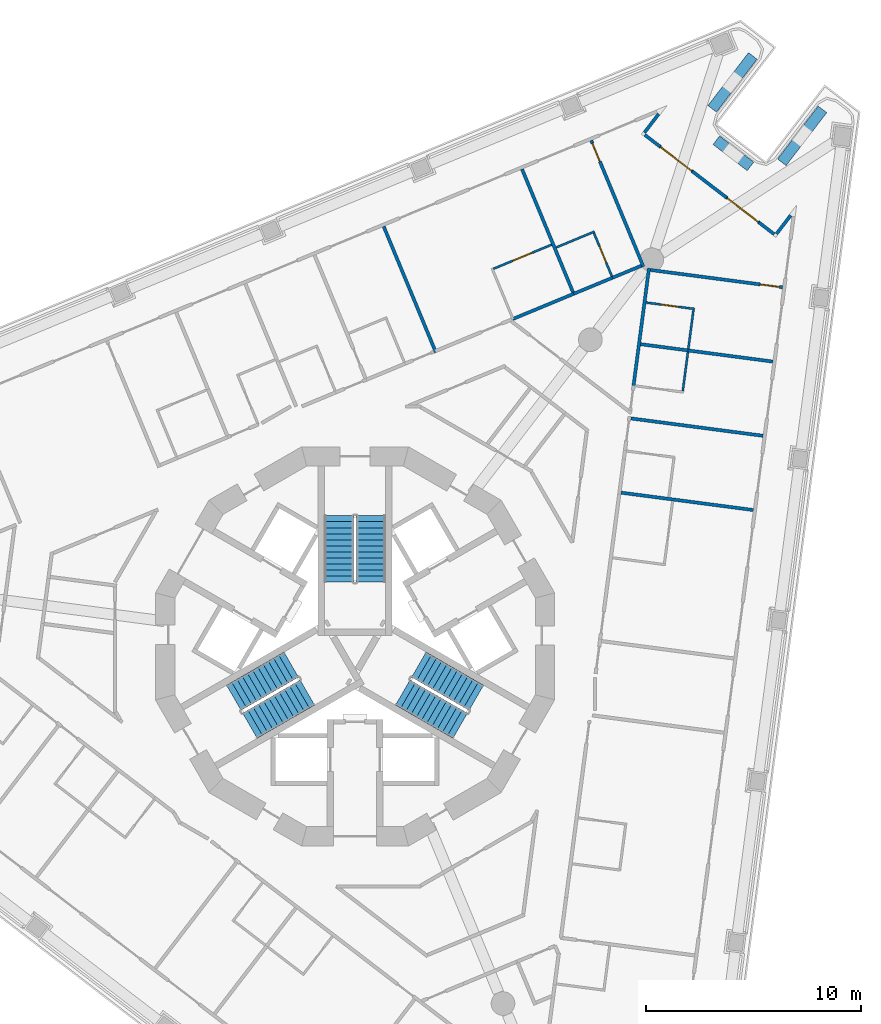
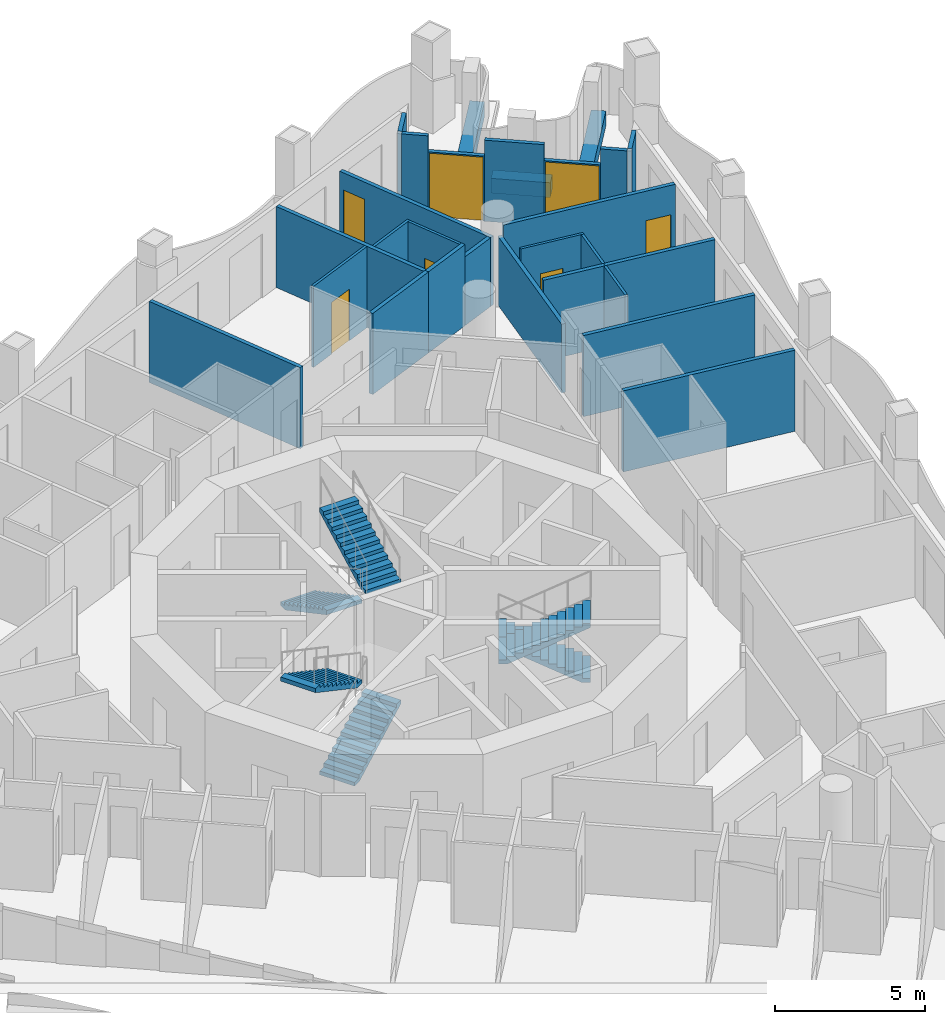
# One storey, part 10 of 17: 28 walls, 7 doors, 6 stair flights, 7 openings, 3 elements without a shape of their own.
"""IFC4 building model written with IfcOpenShell, lengths in metres."""

from ifc_helpers import new_model, si_unit, direction, frame, frame_2d, origin, place, context, subcontext, project, spatial, polyline, rectangle, outline, extrude, material, layer, layer_set, type_object, element, fill, aggregate, save


model = new_model("IFC4")

# Units and contexts
model_context = context("Model", 3, precision=1e-05, world=origin(), true_north=direction((0.0, 1.0)))
body_context = subcontext(model_context, "Body", "Model", "MODEL_VIEW")
ifc_project = project(units=[si_unit("LENGTHUNIT", "METRE"), si_unit("AREAUNIT", "SQUARE_METRE"), si_unit("VOLUMEUNIT", "CUBIC_METRE"), si_unit("PLANEANGLEUNIT", "RADIAN"), si_unit("MASSUNIT", "GRAM", prefix="KILO")], contexts=[model_context])

# Site, building, storey
site_placement = place(None, origin())
site = spatial("IfcSite", under=ifc_project, at=site_placement, CompositionType="ELEMENT")
building_placement = place(site_placement, origin())
building = spatial("IfcBuilding", under=site, at=building_placement, Name="Trine Commons Tower", CompositionType="ELEMENT")
storey_placement = place(building_placement, frame((0.0, 0.0, 135.0)))
storey = spatial("IfcBuildingStorey", under=building, at=storey_placement, Name="L34", CompositionType="ELEMENT", Elevation=135.0)

# Walls
ifc_material_1 = material(Name="Aluminium-framed insulated wall panel", Category="aluminium")
ifc_layer_1 = layer(ifc_material_1, 0.14990234375)
ifc_layer_set_1 = layer_set([ifc_layer_1], Name="Aluminium-framed insulated wall panel")
wall_type_1 = type_object("IfcWallType", Name="Glazed frame wall 150, EI 60", PredefinedType="SOLIDWALL", material=ifc_layer_set_1)
wall_1_placement = place(storey_placement, frame((94.193115234375, 87.345703125, 0.0), z_axis=(0.0, 0.0, 1.0), x_axis=(-0.608762998157, -0.793352136239, 0.0)))
element("IfcWall", 1, at=wall_1_placement, inside=storey, type_object=wall_type_1, Name="Glazed frame wall R5", PredefinedType="SOLIDWALL", context=body_context, shape_type="SweptSolid", body=[
    extrude(outline(polyline([(0.1494140625, 0.074951171875), (0.1494140625, -0.074951171875), (1.235107421875, -0.074951171875), (1.235107421875, 0.074951171875), (0.1494140625, 0.074951171875)])), origin(), (0.0, 0.0, 1.0), 3.300048828125),
])
wall_2_placement = place(storey_placement, frame((93.36767578125, 86.32763671875, 0.0), z_axis=(0.0, 0.0, 1.0), x_axis=(0.793331259853, -0.608790203715, 0.0)))
element("IfcWall", 2, at=wall_2_placement, inside=storey, type_object=wall_type_1, Name="Glazed frame wall P2.1", PredefinedType="SOLIDWALL", context=body_context, shape_type="SweptSolid", body=[
    extrude(outline(polyline([(0.110107421875, -0.074951171875), (1.0, -0.074951171875), (1.0, 0.074951171875), (0.110107421875, 0.074951171875), (0.110107421875, -0.074951171875)])), origin(), (0.0, 0.0, 1.0), 3.300048828125),
])

# Wall, opening, door
wall_3_placement = place(storey_placement, frame((94.1611328125, 85.71875, 0.0), z_axis=(0.0, 0.0, 1.0), x_axis=(0.793382932281, -0.608722862036, 0.0)))
wall_3 = element("IfcWall", 3, at=wall_3_placement, inside=storey, type_object=wall_type_1, Name="Glazed frame wall P2.2", PredefinedType="SOLIDWALL", context=body_context, shape_type="SweptSolid", body=[
    extrude(outline(polyline([(0.0, -0.074951171875), (1.89990234375, -0.074951171875), (1.89990234375, 0.074951171875), (0.0, 0.074951171875), (0.0, -0.074951171875)])), origin(), (0.0, 0.0, 1.0), 2.64990234375),
])
opening_1_placement = place(wall_3_placement, frame((0.050048828125, 0.0, 0.0)))
opening_1 = element("IfcOpeningElement", 4, at=opening_1_placement, cuts=wall_3, Name="Opening BD-4P2-01", PredefinedType="OPENING", context=body_context, shape_type="SweptSolid", body=[
    extrude(rectangle(XDim=1.800048828125, YDim=2.60009765625, at=frame_2d((0.89990234375, 1.300048828125))), frame((0.0, 0.0849609375, 0.0), z_axis=(0.0, -1.0, 0.0), x_axis=(1.0, 0.0, 0.0)), (0.0, 0.0, 1.0), 0.169921875),
])
ifc_material_2 = material(Name="Anodised aluminium frame with double glazing", Category="aluminium")
door_type_1 = type_object("IfcDoorType", Name="Sliding loggia door 1800x2600", OperationType="SLIDING_TO_LEFT", PredefinedType="DOOR", material=ifc_material_2)
door_1_placement = place(opening_1_placement, origin())
door_1 = element("IfcDoor", 5, at=door_1_placement, inside=storey, type_object=door_type_1, Name="Loggia door P2 1", OperationType="SLIDING_TO_LEFT", OverallHeight=2.60009765625, OverallWidth=1.800048828125, PredefinedType="DOOR", context=body_context, shape_type="SweptSolid", body=[
    extrude(rectangle(XDim=1.800048828125, YDim=2.60009765625, at=frame_2d((0.89990234375, 1.300048828125))), frame((0.0, 0.02490234375, 0.0), z_axis=(0.0, -1.0, 0.0), x_axis=(1.0, 0.0, 0.0)), (0.0, 0.0, 1.0), 0.050048828125),
])
fill(opening_1, door_1)

# Wall
wall_4_placement = place(storey_placement, frame((95.66845703125, 84.562255859375, 0.0), z_axis=(0.0, 0.0, 1.0), x_axis=(0.793344974033, -0.608772331974, 0.0)))
element("IfcWall", 6, at=wall_4_placement, inside=storey, type_object=wall_type_1, Name="Glazed frame wall P2.3", PredefinedType="SOLIDWALL", context=body_context, shape_type="SweptSolid", body=[
    extrude(outline(polyline([(0.0, -0.074951171875), (2.0, -0.074951171875), (2.0, 0.074951171875), (0.0, 0.074951171875), (0.0, -0.074951171875)])), origin(), (0.0, 0.0, 1.0), 3.300048828125),
])

# Wall, opening, door
wall_5_placement = place(storey_placement, frame((97.255126953125, 83.3447265625, 0.0), z_axis=(0.0, 0.0, 1.0), x_axis=(0.793320872023, -0.608803740143, 0.0)))
wall_5 = element("IfcWall", 7, at=wall_5_placement, inside=storey, type_object=wall_type_1, Name="Glazed frame wall P2.4", PredefinedType="SOLIDWALL", context=body_context, shape_type="SweptSolid", body=[
    extrude(outline(polyline([(0.0, -0.074951171875), (1.89990234375, -0.074951171875), (1.89990234375, 0.074951171875), (0.0, 0.074951171875), (0.0, -0.074951171875)])), origin(), (0.0, 0.0, 1.0), 2.64990234375),
])
opening_2_placement = place(wall_5_placement, frame((0.050048828125, 0.0, 0.0)))
opening_2 = element("IfcOpeningElement", 8, at=opening_2_placement, cuts=wall_5, Name="Opening BD-4P2-02", PredefinedType="OPENING", context=body_context, shape_type="SweptSolid", body=[
    extrude(rectangle(XDim=1.800048828125, YDim=2.60009765625, at=frame_2d((0.89990234375, 1.300048828125))), frame((0.0, 0.0849609375, 0.0), z_axis=(0.0, -1.0, 0.0), x_axis=(1.0, 0.0, 0.0)), (0.0, 0.0, 1.0), 0.169921875),
])
door_2_placement = place(opening_2_placement, origin())
door_2 = element("IfcDoor", 9, at=door_2_placement, inside=storey, type_object=door_type_1, Name="Loggia door P2 2", OperationType="SLIDING_TO_LEFT", OverallHeight=2.60009765625, OverallWidth=1.800048828125, PredefinedType="DOOR", context=body_context, shape_type="SweptSolid", body=[
    extrude(rectangle(XDim=1.800048828125, YDim=2.60009765625, at=frame_2d((0.89990234375, 1.300048828125))), frame((0.0, 0.02490234375, 0.0), z_axis=(0.0, -1.0, 0.0), x_axis=(1.0, 0.0, 0.0)), (0.0, 0.0, 1.0), 0.050048828125),
])
fill(opening_2, door_2)

# Walls
wall_6_placement = place(storey_placement, frame((98.762451171875, 82.18798828125, 0.0), z_axis=(0.0, 0.0, 1.0), x_axis=(0.793449156962, -0.60863653794, 0.0)))
element("IfcWall", 10, at=wall_6_placement, inside=storey, type_object=wall_type_1, Name="Glazed frame wall P2.5", PredefinedType="SOLIDWALL", context=body_context, shape_type="SweptSolid", body=[
    extrude(outline(polyline([(0.889892578125, 0.074951171875), (0.0, 0.074951171875), (0.0, -0.074951171875), (0.889892578125, -0.074951171875), (0.889892578125, 0.074951171875)])), origin(), (0.0, 0.0, 1.0), 3.300048828125),
])
wall_7_placement = place(storey_placement, frame((99.5068359375, 81.57275390625, 0.0), z_axis=(0.0, 0.0, 1.0), x_axis=(0.608762998157, 0.793352136239, 0.0)))
element("IfcWall", 11, at=wall_7_placement, inside=storey, type_object=wall_type_1, Name="Glazed frame wall R7", PredefinedType="SOLIDWALL", context=body_context, shape_type="SweptSolid", body=[
    extrude(outline(polyline([(0.110107421875, 0.074951171875), (0.110107421875, -0.074951171875), (1.19580078125, -0.074951171875), (1.19580078125, 0.074951171875), (0.110107421875, 0.074951171875)])), origin(), (0.0, 0.0, 1.0), 3.300048828125),
])
ifc_material_3 = material(Name="Planter trough, precast concrete C40/50", Category="concrete")
ifc_layer_2 = layer(ifc_material_3, 0.5)
ifc_layer_set_2 = layer_set([ifc_layer_2], Name="Planter trough, precast concrete C40/50")
wall_type_2 = type_object("IfcWallType", Name="Planter trough 500x600", PredefinedType="PARAPET", material=ifc_layer_set_2)
wall_8_placement = place(storey_placement, frame((98.474609375, 89.927490234375, 0.0), z_axis=(0.0, 0.0, 1.0), x_axis=(-0.608796883945, -0.793326133503, 0.0)))
element("IfcWall", 12, at=wall_8_placement, inside=storey, type_object=wall_type_2, Name="Planter 4", PredefinedType="PARAPET", context=body_context, shape_type="SweptSolid", body=[
    extrude(rectangle(XDim=3.099853515625, YDim=0.5, at=frame_2d((1.5498046875, 0.0))), origin(), (0.0, 0.0, 1.0), 0.60009765625),
])
wall_9_placement = place(storey_placement, frame((96.779296875, 86.010009765625, 0.0), z_axis=(0.0, 0.0, 1.0), x_axis=(0.793390207748, -0.608713379391, 0.0)))
element("IfcWall", 13, at=wall_9_placement, inside=storey, type_object=wall_type_2, Name="Planter 5", PredefinedType="PARAPET", context=body_context, shape_type="SweptSolid", body=[
    extrude(rectangle(XDim=2.000244140625, YDim=0.5, at=frame_2d((1.0, 0.0))), origin(), (0.0, 0.0, 1.0), 0.60009765625),
])
wall_10_placement = place(storey_placement, frame((99.82421875, 84.984619140625, 0.0), z_axis=(0.0, 0.0, 1.0), x_axis=(0.608796883945, 0.793326133503, 0.0)))
element("IfcWall", 14, at=wall_10_placement, inside=storey, type_object=wall_type_2, Name="Planter 6", PredefinedType="PARAPET", context=body_context, shape_type="SweptSolid", body=[
    extrude(rectangle(XDim=3.099853515625, YDim=0.5, at=frame_2d((1.5498046875, 0.0))), origin(), (0.0, 0.0, 1.0), 0.60009765625),
])
ifc_material_4 = material(Name="Gypsum plasterboard on steel stud", Category="steel")
ifc_layer_3 = layer(ifc_material_4, 0.14990234375)
ifc_layer_set_3 = layer_set([ifc_layer_3], Name="Gypsum plasterboard on steel stud")
wall_type_3 = type_object("IfcWallType", Name="Unit and corridor wall 150 mm, EI 60", PredefinedType="PARTITIONING", material=ifc_layer_set_3)
wall_11_placement = place(storey_placement, frame((81.329345703125, 82.007080078125, 0.0), z_axis=(0.0, 0.0, 1.0), x_axis=(0.38276754093, -0.923844689117, 0.0)))
element("IfcWall", 15, at=wall_11_placement, inside=storey, type_object=wall_type_3, Name="Partition 075", PredefinedType="PARTITIONING", context=body_context, shape_type="SweptSolid", body=[
    extrude(rectangle(XDim=6.344482421875, YDim=0.14990234375, at=frame_2d((3.17236328125, 0.0))), origin(), (0.0, 0.0, 1.0), 3.300048828125),
])
wall_12_placement = place(storey_placement, frame((87.33203125, 77.7080078125, 0.0), z_axis=(0.0, 0.0, 1.0), x_axis=(0.923876553121, 0.38269062517, 0.0)))
element("IfcWall", 16, at=wall_12_placement, inside=storey, type_object=wall_type_3, Name="Partition 098", PredefinedType="PARTITIONING", context=body_context, shape_type="SweptSolid", body=[
    extrude(rectangle(XDim=3.054443359375, YDim=0.14990234375, at=frame_2d((1.52734375, 0.0))), origin(), (0.0, 0.0, 1.0), 3.300048828125),
])
wall_13_placement = place(storey_placement, frame((87.75537109375, 84.66796875, 0.0), z_axis=(0.0, 0.0, 1.0), x_axis=(0.382666303598, -0.923886627293, 0.0)))
element("IfcWall", 17, at=wall_13_placement, inside=storey, type_object=wall_type_3, Name="Partition 101", PredefinedType="PARTITIONING", context=body_context, shape_type="SweptSolid", body=[
    extrude(rectangle(XDim=6.193115234375, YDim=0.14990234375, at=frame_2d((3.0966796875, 0.0))), origin(), (0.0, 0.0, 1.0), 3.300048828125),
])
wall_14_placement = place(storey_placement, frame((90.154052734375, 78.876953125, 0.0), z_axis=(0.0, 0.0, 1.0), x_axis=(0.924061346064, 0.382244200362, 0.0)))
element("IfcWall", 18, at=wall_14_placement, inside=storey, type_object=wall_type_3, Name="Partition 120", PredefinedType="PARTITIONING", context=body_context, shape_type="SweptSolid", body=[
    extrude(rectangle(XDim=2.004150390625, YDim=0.14990234375, at=frame_2d((1.001953125, 0.0))), origin(), (0.0, 0.0, 1.0), 3.300048828125),
])

# Wall, opening, door
wall_15_placement = place(storey_placement, frame((90.96826171875, 85.9990234375, 0.0), z_axis=(0.0, 0.0, 1.0), x_axis=(0.382636157896, -0.92389911282, 0.0)))
wall_15 = element("IfcWall", 19, at=wall_15_placement, inside=storey, type_object=wall_type_3, Name="Partition 122", PredefinedType="PARTITIONING", context=body_context, shape_type="SweptSolid", body=[
    extrude(rectangle(XDim=6.34423828125, YDim=0.14990234375, at=frame_2d((3.172119140625, 0.0))), origin(), (0.0, 0.0, 1.0), 2.800048828125),
])
opening_3_placement = place(wall_15_placement, frame((0.14990234375, 0.0, 0.0)))
opening_3 = element("IfcOpeningElement", 20, at=opening_3_placement, cuts=wall_15, Name="Opening D-4B12", PredefinedType="OPENING", context=body_context, shape_type="SweptSolid", body=[
    extrude(rectangle(XDim=0.89990234375, YDim=2.10009765625, at=frame_2d((0.449951171875, 1.050048828125))), frame((0.0, 0.0849609375, 0.0), z_axis=(0.0, -1.0, 0.0), x_axis=(1.0, 0.0, 0.0)), (0.0, 0.0, 1.0), 0.169921875),
])
ifc_material_5 = material(Name="Timber fire door set", Category="wood")
door_type_2 = type_object("IfcDoorType", Name="Bedroom door 900 x 2100, FD30S", OperationType="NOTDEFINED", PredefinedType="DOOR", material=ifc_material_5)
door_3_placement = place(opening_3_placement, frame((0.89990234375, 0.0, 0.0), z_axis=(0.0, 0.0, 1.0), x_axis=(-1.0, 0.0, 0.0)))
door_3 = element("IfcDoor", 21, at=door_3_placement, inside=storey, type_object=door_type_2, Name="Door D-4B12", OperationType="SINGLE_SWING_RIGHT", OverallHeight=2.10009765625, OverallWidth=0.89990234375, PredefinedType="DOOR", context=body_context, shape_type="SweptSolid", body=[
    extrude(rectangle(XDim=0.89990234375, YDim=2.10009765625, at=frame_2d((0.449951171875, 1.050048828125))), frame((0.0, 0.02490234375, 0.0), z_axis=(0.0, -1.0, 0.0), x_axis=(1.0, 0.0, 0.0)), (0.0, 0.0, 1.0), 0.050048828125),
])
fill(opening_3, door_3)

# Walls
wall_16_placement = place(storey_placement, frame((91.952880859375, 79.62109375, 0.0), z_axis=(0.0, 0.0, 1.0), x_axis=(0.923849185367, 0.382756688636, 0.0)))
element("IfcWall", 22, at=wall_16_placement, inside=storey, type_object=wall_type_3, Name="Partition 131", PredefinedType="PARTITIONING", context=body_context, shape_type="SweptSolid", body=[
    extrude(rectangle(XDim=1.45556640625, YDim=0.14990234375, at=frame_2d((0.727783203125, 0.0))), origin(), (0.0, 0.0, 1.0), 2.800048828125),
])
wall_17_placement = place(storey_placement, frame((92.357421875, 69.64111328125, 0.0), z_axis=(0.0, 0.0, 1.0), x_axis=(0.991457381012, -0.130431060858, 0.0)))
element("IfcWall", 23, at=wall_17_placement, inside=storey, type_object=wall_type_3, Name="Partition 133", PredefinedType="PARTITIONING", context=body_context, shape_type="SweptSolid", body=[
    extrude(rectangle(XDim=6.19384765625, YDim=0.14990234375, at=frame_2d((3.096923828125, 0.0))), origin(), (0.0, 0.0, 1.0), 3.300048828125),
])
wall_18_placement = place(storey_placement, frame((92.811279296875, 73.089111328125, 0.0), z_axis=(0.0, 0.0, 1.0), x_axis=(0.991458051546, -0.130425963766, 0.0)))
element("IfcWall", 24, at=wall_18_placement, inside=storey, type_object=wall_type_3, Name="Partition 138", PredefinedType="PARTITIONING", context=body_context, shape_type="SweptSolid", body=[
    extrude(rectangle(XDim=6.194091796875, YDim=0.14990234375, at=frame_2d((3.09716796875, 0.0))), origin(), (0.0, 0.0, 1.0), 3.300048828125),
])
wall_19_placement = place(storey_placement, frame((92.928466796875, 74.559326171875, 0.0), z_axis=(0.0, 0.0, 1.0), x_axis=(0.130537481379, 0.991443375062, 0.0)))
element("IfcWall", 25, at=wall_19_placement, inside=storey, type_object=wall_type_3, Name="Partition 140", PredefinedType="PARTITIONING", context=body_context, shape_type="SweptSolid", body=[
    extrude(rectangle(XDim=5.556640625, YDim=0.14990234375, at=frame_2d((2.7783203125, 0.0))), origin(), (0.0, 0.0, 1.0), 2.800048828125),
])
wall_20_placement = place(storey_placement, frame((93.264404296875, 76.537109375, 0.0), z_axis=(0.0, 0.0, 1.0), x_axis=(0.991414673446, -0.130755287757, 0.0)))
element("IfcWall", 26, at=wall_20_placement, inside=storey, type_object=wall_type_3, Name="Partition 142", PredefinedType="PARTITIONING", context=body_context, shape_type="SweptSolid", body=[
    extrude(rectangle(XDim=2.2255859375, YDim=0.14990234375, at=frame_2d((1.11279296875, 0.0))), origin(), (0.0, 0.0, 1.0), 3.300048828125),
])

# Wall, opening, door
wall_21_placement = place(storey_placement, frame((93.718505859375, 79.984130859375, 0.0), z_axis=(0.0, 0.0, 1.0), x_axis=(0.991457381012, -0.130431060858, 0.0)))
wall_21 = element("IfcWall", 27, at=wall_21_placement, inside=storey, type_object=wall_type_3, Name="Partition 144", PredefinedType="PARTITIONING", context=body_context, shape_type="SweptSolid", body=[
    extrude(rectangle(XDim=6.19384765625, YDim=0.14990234375, at=frame_2d((3.096923828125, 0.0))), origin(), (0.0, 0.0, 1.0), 3.300048828125),
])
opening_4_placement = place(wall_21_placement, frame((5.143798828125, 0.0, 0.0)))
opening_4 = element("IfcOpeningElement", 28, at=opening_4_placement, cuts=wall_21, Name="Opening D-4B13", PredefinedType="OPENING", context=body_context, shape_type="SweptSolid", body=[
    extrude(rectangle(XDim=0.89990234375, YDim=2.10009765625, at=frame_2d((0.449951171875, 1.050048828125))), frame((0.0, 0.0849609375, 0.0), z_axis=(0.0, -1.0, 0.0), x_axis=(1.0, 0.0, 0.0)), (0.0, 0.0, 1.0), 0.169921875),
])
door_4_placement = place(opening_4_placement, frame((0.89990234375, 0.0, 0.0), z_axis=(0.0, 0.0, 1.0), x_axis=(-1.0, 0.0, 0.0)))
door_4 = element("IfcDoor", 29, at=door_4_placement, inside=storey, type_object=door_type_2, Name="Door D-4B13", OperationType="SINGLE_SWING_LEFT", OverallHeight=2.10009765625, OverallWidth=0.89990234375, PredefinedType="DOOR", context=body_context, shape_type="SweptSolid", body=[
    extrude(rectangle(XDim=0.89990234375, YDim=2.10009765625, at=frame_2d((0.449951171875, 1.050048828125))), frame((0.0, 0.02490234375, 0.0), z_axis=(0.0, -1.0, 0.0), x_axis=(1.0, 0.0, 0.0)), (0.0, 0.0, 1.0), 0.050048828125),
])
fill(opening_4, door_4)

# Wall
wall_22_placement = place(storey_placement, frame((95.470947265625, 76.24609375, 0.0), z_axis=(0.0, 0.0, 1.0), x_axis=(0.991453667467, -0.130459285855, 0.0)))
element("IfcWall", 30, at=wall_22_placement, inside=storey, type_object=wall_type_3, Name="Partition 149", PredefinedType="PARTITIONING", context=body_context, shape_type="SweptSolid", body=[
    extrude(rectangle(XDim=3.96923828125, YDim=0.14990234375, at=frame_2d((1.984619140625, 0.0))), origin(), (0.0, 0.0, 1.0), 3.300048828125),
])

# Wall, opening, door
ifc_layer_4 = layer(ifc_material_4, 0.10009765625)
ifc_layer_set_4 = layer_set([ifc_layer_4], Name="Gypsum plasterboard on steel stud")
wall_type_4 = type_object("IfcWallType", Name="Unit partition 100 mm, no rating", PredefinedType="PARTITIONING", material=ifc_layer_set_4)
wall_23_placement = place(storey_placement, frame((86.42626953125, 80.0380859375, 0.0), z_axis=(0.0, 0.0, 1.0), x_axis=(0.923906972489, 0.382617179681, 0.0)))
wall_23 = element("IfcWall", 31, at=wall_23_placement, inside=storey, type_object=wall_type_4, Name="Partition 095", PredefinedType="PARTITIONING", context=body_context, shape_type="SweptSolid", body=[
    extrude(rectangle(XDim=2.925048828125, YDim=0.10009765625, at=frame_2d((1.46240234375, 0.0))), origin(), (0.0, 0.0, 1.0), 3.300048828125),
])
opening_5_placement = place(wall_23_placement, frame((0.962646484375, 0.0, 0.0)))
opening_5 = element("IfcOpeningElement", 32, at=opening_5_placement, cuts=wall_23, Name="Opening D-4B42", PredefinedType="OPENING", context=body_context, shape_type="SweptSolid", body=[
    extrude(rectangle(XDim=1.0, YDim=2.10009765625, at=frame_2d((0.5, 1.050048828125))), frame((0.0, 0.06005859375, 0.0), z_axis=(0.0, -1.0, 0.0), x_axis=(1.0, 0.0, 0.0)), (0.0, 0.0, 1.0), 0.1201171875),
])
ifc_material_6 = material(Name="Painted timber", Category="wood")
door_type_3 = type_object("IfcDoorType", Name="Internal door 1000 x 2100, NOT RATED", OperationType="NOTDEFINED", PredefinedType="DOOR", material=ifc_material_6)
door_5_placement = place(opening_5_placement, origin())
door_5 = element("IfcDoor", 33, at=door_5_placement, inside=storey, type_object=door_type_3, Name="Door D-4B42", OperationType="SINGLE_SWING_RIGHT", OverallHeight=2.10009765625, OverallWidth=1.0, PredefinedType="DOOR", context=body_context, shape_type="SweptSolid", body=[
    extrude(rectangle(XDim=1.0, YDim=2.10009765625, at=frame_2d((0.5, 1.050048828125))), frame((0.0, 0.02490234375, 0.0), z_axis=(0.0, -1.0, 0.0), x_axis=(1.0, 0.0, 0.0)), (0.0, 0.0, 1.0), 0.050048828125),
])
fill(opening_5, door_5)

# Wall
wall_24_placement = place(storey_placement, frame((89.34326171875, 81.02978515625, 0.0), z_axis=(0.0, 0.0, 1.0), x_axis=(0.923806646111, 0.382859348327, 0.0)))
element("IfcWall", 34, at=wall_24_placement, inside=storey, type_object=wall_type_4, Name="Partition 110", PredefinedType="PARTITIONING", context=body_context, shape_type="SweptSolid", body=[
    extrude(rectangle(XDim=1.92578125, YDim=0.10009765625, at=frame_2d((0.962890625, 0.0))), origin(), (0.0, 0.0, 1.0), 3.300048828125),
])

# Wall, opening, door
wall_25_placement = place(storey_placement, frame((91.09521484375, 81.701904296875, 0.0), z_axis=(0.0, 0.0, 1.0), x_axis=(0.382550074338, -0.923934759939, 0.0)))
wall_25 = element("IfcWall", 35, at=wall_25_placement, inside=storey, type_object=wall_type_4, Name="Partition 124", PredefinedType="PARTITIONING", context=body_context, shape_type="SweptSolid", body=[
    extrude(rectangle(XDim=2.175048828125, YDim=0.10009765625, at=frame_2d((1.08740234375, 0.0))), origin(), (0.0, 0.0, 1.0), 3.300048828125),
])
opening_6_placement = place(wall_25_placement, frame((0.6875, 0.0, 0.0)))
opening_6 = element("IfcOpeningElement", 36, at=opening_6_placement, cuts=wall_25, Name="Opening D-4B43", PredefinedType="OPENING", context=body_context, shape_type="SweptSolid", body=[
    extrude(rectangle(XDim=0.800048828125, YDim=2.10009765625, at=frame_2d((0.39990234375, 1.050048828125))), frame((0.0, 0.06005859375, 0.0), z_axis=(0.0, -1.0, 0.0), x_axis=(1.0, 0.0, 0.0)), (0.0, 0.0, 1.0), 0.1201171875),
])
door_type_4 = type_object("IfcDoorType", Name="Internal door 800 x 2100, NOT RATED", OperationType="NOTDEFINED", PredefinedType="DOOR", material=ifc_material_6)
door_6_placement = place(opening_6_placement, origin())
door_6 = element("IfcDoor", 37, at=door_6_placement, inside=storey, type_object=door_type_4, Name="Door D-4B43", OperationType="SINGLE_SWING_RIGHT", OverallHeight=2.10009765625, OverallWidth=0.800048828125, PredefinedType="DOOR", context=body_context, shape_type="SweptSolid", body=[
    extrude(rectangle(XDim=0.800048828125, YDim=2.10009765625, at=frame_2d((0.39990234375, 1.050048828125))), frame((0.0, 0.02490234375, 0.0), z_axis=(0.0, -1.0, 0.0), x_axis=(1.0, 0.0, 0.0)), (0.0, 0.0, 1.0), 0.050048828125),
])
fill(opening_6, door_6)

wall_26_placement = place(storey_placement, frame((93.519287109375, 78.47021484375, 0.0), z_axis=(0.0, 0.0, 1.0), x_axis=(0.991461599928, -0.130398987217, 0.0)))
wall_26 = element("IfcWall", 38, at=wall_26_placement, inside=storey, type_object=wall_type_4, Name="Partition 143", PredefinedType="PARTITIONING", context=body_context, shape_type="SweptSolid", body=[
    extrude(rectangle(XDim=2.27490234375, YDim=0.10009765625, at=frame_2d((1.137451171875, 0.0))), origin(), (0.0, 0.0, 1.0), 3.300048828125),
])
opening_7_placement = place(wall_26_placement, frame((0.71240234375, 0.0, 0.0)))
opening_7 = element("IfcOpeningElement", 39, at=opening_7_placement, cuts=wall_26, Name="Opening D-4B44", PredefinedType="OPENING", context=body_context, shape_type="SweptSolid", body=[
    extrude(rectangle(XDim=0.800048828125, YDim=2.10009765625, at=frame_2d((0.39990234375, 1.050048828125))), frame((0.0, 0.06005859375, 0.0), z_axis=(0.0, -1.0, 0.0), x_axis=(1.0, 0.0, 0.0)), (0.0, 0.0, 1.0), 0.1201171875),
])
door_7_placement = place(opening_7_placement, origin())
door_7 = element("IfcDoor", 40, at=door_7_placement, inside=storey, type_object=door_type_4, Name="Door D-4B44", OperationType="SINGLE_SWING_LEFT", OverallHeight=2.10009765625, OverallWidth=0.800048828125, PredefinedType="DOOR", context=body_context, shape_type="SweptSolid", body=[
    extrude(rectangle(XDim=0.800048828125, YDim=2.10009765625, at=frame_2d((0.39990234375, 1.050048828125))), frame((0.0, 0.02490234375, 0.0), z_axis=(0.0, -1.0, 0.0), x_axis=(1.0, 0.0, 0.0)), (0.0, 0.0, 1.0), 0.050048828125),
])
fill(opening_7, door_7)

# Walls
wall_27_placement = place(storey_placement, frame((95.222412109375, 74.362548828125, 0.0), z_axis=(0.0, 0.0, 1.0), x_axis=(0.130849048899, 0.991402303004, 0.0)))
element("IfcWall", 41, at=wall_27_placement, inside=storey, type_object=wall_type_4, Name="Partition 147", PredefinedType="PARTITIONING", context=body_context, shape_type="SweptSolid", body=[
    extrude(rectangle(XDim=1.82470703125, YDim=0.10009765625, at=frame_2d((0.912353515625, 0.0))), origin(), (0.0, 0.0, 1.0), 3.300048828125),
])
wall_28_placement = place(storey_placement, frame((95.480712890625, 76.3203125, 0.0), z_axis=(0.0, 0.0, 1.0), x_axis=(0.130253868076, 0.99148067548, 0.0)))
element("IfcWall", 42, at=wall_28_placement, inside=storey, type_object=wall_type_4, Name="Partition 148", PredefinedType="PARTITIONING", context=body_context, shape_type="SweptSolid", body=[
    extrude(rectangle(XDim=1.82568359375, YDim=0.10009765625, at=frame_2d((0.912841796875, 0.0))), origin(), (0.0, 0.0, 1.0), 3.300048828125),
])

# Stair, stair flights
ifc_material_7 = material(Name="Concrete C50/60", Category="concrete")
stair_type = type_object("IfcStairType", Name="Exit stair, dog-leg, 24 risers of 150 mm", PredefinedType="HALF_TURN_STAIR", material=ifc_material_7)
stair_1_placement = place(storey_placement, origin())
stair_1 = element("IfcStair", 43, at=stair_1_placement, inside=storey, type_object=stair_type, Name="L34 Exit stair ST1B", PredefinedType="HALF_TURN_STAIR")
stair_flight_type = type_object("IfcStairFlightType", Name="Stair flight, 1350 wide, 12 risers of 150 mm", PredefinedType="STRAIGHT", material=ifc_material_7)
stair_flight_1_placement = place(storey_placement, frame((79.25, 68.570556640625, 0.0), z_axis=(0.0, 0.0, 1.0), x_axis=(0.0, -1.0, 0.0)))
stair_flight_1 = element("IfcStairFlight", 44, at=stair_flight_1_placement, type_object=stair_flight_type, Name="ST1B flight 1", NumberOfRisers=12, NumberOfTreads=11, PredefinedType="STRAIGHT", RiserHeight=0.15, TreadLength=0.28, context=body_context, shape_type="SweptSolid", body=[
    extrude(outline(polyline([(0.0, 0.0), (0.0, 0.14990234375), (0.280029296875, 0.14990234375), (0.280029296875, 0.300048828125), (0.56005859375, 0.300048828125), (0.56005859375, 0.449951171875), (0.840087890625, 0.449951171875), (0.840087890625, 0.60009765625), (1.1201171875, 0.60009765625), (1.1201171875, 0.75), (1.39990234375, 0.75), (1.39990234375, 0.89990234375), (1.679931640625, 0.89990234375), (1.679931640625, 1.050048828125), (1.9599609375, 1.050048828125), (1.9599609375, 1.199951171875), (2.239990234375, 1.199951171875), (2.239990234375, 1.35009765625), (2.52001953125, 1.35009765625), (2.52001953125, 1.5), (2.800048828125, 1.5), (2.800048828125, 1.64990234375), (3.080078125, 1.64990234375), (3.080078125, 1.800048828125), (3.080078125, 1.47998046875), (0.3173828125, 0.0), (0.0, 0.0)])), frame((0.0, 0.675048828125, 0.0), z_axis=(0.0, -1.0, 0.0), x_axis=(1.0, 0.0, 0.0)), (0.0, 0.0, 1.0), 1.35009765625),
])
stair_flight_2_placement = place(storey_placement, frame((80.75, 65.490478515625, 1.800048828125), z_axis=(0.0, 0.0, 1.0), x_axis=(0.0, 1.0, 0.0)))
stair_flight_2 = element("IfcStairFlight", 45, at=stair_flight_2_placement, type_object=stair_flight_type, Name="ST1B flight 2", NumberOfRisers=12, NumberOfTreads=11, PredefinedType="STRAIGHT", RiserHeight=0.15, TreadLength=0.28, context=body_context, shape_type="SweptSolid", body=[
    extrude(outline(polyline([(0.0, 0.0), (0.0, 0.14990234375), (0.280029296875, 0.14990234375), (0.280029296875, 0.300048828125), (0.56005859375, 0.300048828125), (0.56005859375, 0.449951171875), (0.840087890625, 0.449951171875), (0.840087890625, 0.60009765625), (1.1201171875, 0.60009765625), (1.1201171875, 0.75), (1.39990234375, 0.75), (1.39990234375, 0.89990234375), (1.679931640625, 0.89990234375), (1.679931640625, 1.050048828125), (1.9599609375, 1.050048828125), (1.9599609375, 1.199951171875), (2.239990234375, 1.199951171875), (2.239990234375, 1.35009765625), (2.52001953125, 1.35009765625), (2.52001953125, 1.5), (2.800048828125, 1.5), (2.800048828125, 1.64990234375), (3.080078125, 1.64990234375), (3.080078125, 1.800048828125), (3.080078125, 1.47998046875), (0.3173828125, 0.0), (0.0, 0.0)])), frame((0.0, 0.675048828125, 0.0), z_axis=(0.0, -1.0, 0.0), x_axis=(1.0, 0.0, 0.0)), (0.0, 0.0, 1.0), 1.35009765625),
])
aggregate(stair_1, [stair_flight_1, stair_flight_2])

stair_2_placement = place(storey_placement, origin())
stair_2 = element("IfcStair", 46, at=stair_2_placement, inside=storey, type_object=stair_type, Name="L34 Exit stair ST2B", PredefinedType="HALF_TURN_STAIR")
stair_flight_3_placement = place(storey_placement, frame((75.11767578125, 58.815185546875, 0.0), z_axis=(0.0, 0.0, 1.0), x_axis=(0.866025403784, 0.5, 0.0)))
stair_flight_3 = element("IfcStairFlight", 47, at=stair_flight_3_placement, type_object=stair_flight_type, Name="ST2B flight 1", NumberOfRisers=12, NumberOfTreads=11, PredefinedType="STRAIGHT", RiserHeight=0.15, TreadLength=0.28, context=body_context, shape_type="SweptSolid", body=[
    extrude(outline(polyline([(0.0, 0.0), (0.0, 0.14990234375), (0.280029296875, 0.14990234375), (0.280029296875, 0.300048828125), (0.56005859375, 0.300048828125), (0.56005859375, 0.449951171875), (0.840087890625, 0.449951171875), (0.840087890625, 0.60009765625), (1.1201171875, 0.60009765625), (1.1201171875, 0.75), (1.39990234375, 0.75), (1.39990234375, 0.89990234375), (1.679931640625, 0.89990234375), (1.679931640625, 1.050048828125), (1.9599609375, 1.050048828125), (1.9599609375, 1.199951171875), (2.239990234375, 1.199951171875), (2.239990234375, 1.35009765625), (2.52001953125, 1.35009765625), (2.52001953125, 1.5), (2.800048828125, 1.5), (2.800048828125, 1.64990234375), (3.080078125, 1.64990234375), (3.080078125, 1.800048828125), (3.080078125, 1.47998046875), (0.3173828125, 0.0), (0.0, 0.0)])), frame((0.0, 0.675048828125, 0.0), z_axis=(0.0, -1.0, 0.0), x_axis=(1.0, 0.0, 0.0)), (0.0, 0.0, 1.0), 1.35009765625),
])
stair_flight_4_placement = place(storey_placement, frame((77.03515625, 61.654296875, 1.800048828125), z_axis=(0.0, 0.0, 1.0), x_axis=(-0.866025403784, -0.5, 0.0)))
stair_flight_4 = element("IfcStairFlight", 48, at=stair_flight_4_placement, type_object=stair_flight_type, Name="ST2B flight 2", NumberOfRisers=12, NumberOfTreads=11, PredefinedType="STRAIGHT", RiserHeight=0.15, TreadLength=0.28, context=body_context, shape_type="SweptSolid", body=[
    extrude(outline(polyline([(0.0, 0.0), (0.0, 0.14990234375), (0.280029296875, 0.14990234375), (0.280029296875, 0.300048828125), (0.56005859375, 0.300048828125), (0.56005859375, 0.449951171875), (0.840087890625, 0.449951171875), (0.840087890625, 0.60009765625), (1.1201171875, 0.60009765625), (1.1201171875, 0.75), (1.39990234375, 0.75), (1.39990234375, 0.89990234375), (1.679931640625, 0.89990234375), (1.679931640625, 1.050048828125), (1.9599609375, 1.050048828125), (1.9599609375, 1.199951171875), (2.239990234375, 1.199951171875), (2.239990234375, 1.35009765625), (2.52001953125, 1.35009765625), (2.52001953125, 1.5), (2.800048828125, 1.5), (2.800048828125, 1.64990234375), (3.080078125, 1.64990234375), (3.080078125, 1.800048828125), (3.080078125, 1.47998046875), (0.3173828125, 0.0), (0.0, 0.0)])), frame((0.0, 0.675048828125, 0.0), z_axis=(0.0, -1.0, 0.0), x_axis=(1.0, 0.0, 0.0)), (0.0, 0.0, 1.0), 1.35009765625),
])
aggregate(stair_2, [stair_flight_3, stair_flight_4])

stair_3_placement = place(storey_placement, origin())
stair_3 = element("IfcStair", 49, at=stair_3_placement, inside=storey, type_object=stair_type, Name="L34 Exit stair ST3B", PredefinedType="HALF_TURN_STAIR")
stair_flight_5_placement = place(storey_placement, frame((85.63232421875, 60.1142578125, 0.0), z_axis=(0.0, 0.0, 1.0), x_axis=(-0.866025403784, 0.5, 0.0)))
stair_flight_5 = element("IfcStairFlight", 50, at=stair_flight_5_placement, type_object=stair_flight_type, Name="ST3B flight 1", NumberOfRisers=12, NumberOfTreads=11, PredefinedType="STRAIGHT", RiserHeight=0.15, TreadLength=0.28, context=body_context, shape_type="SweptSolid", body=[
    extrude(outline(polyline([(0.0, 0.0), (0.0, 0.14990234375), (0.280029296875, 0.14990234375), (0.280029296875, 0.300048828125), (0.56005859375, 0.300048828125), (0.56005859375, 0.449951171875), (0.840087890625, 0.449951171875), (0.840087890625, 0.60009765625), (1.1201171875, 0.60009765625), (1.1201171875, 0.75), (1.39990234375, 0.75), (1.39990234375, 0.89990234375), (1.679931640625, 0.89990234375), (1.679931640625, 1.050048828125), (1.9599609375, 1.050048828125), (1.9599609375, 1.199951171875), (2.239990234375, 1.199951171875), (2.239990234375, 1.35009765625), (2.52001953125, 1.35009765625), (2.52001953125, 1.5), (2.800048828125, 1.5), (2.800048828125, 1.64990234375), (3.080078125, 1.64990234375), (3.080078125, 1.800048828125), (3.080078125, 1.47998046875), (0.3173828125, 0.0), (0.0, 0.0)])), frame((0.0, 0.675048828125, 0.0), z_axis=(0.0, -1.0, 0.0), x_axis=(1.0, 0.0, 0.0)), (0.0, 0.0, 1.0), 1.35009765625),
])
stair_flight_6_placement = place(storey_placement, frame((82.21484375, 60.355224609375, 1.800048828125), z_axis=(0.0, 0.0, 1.0), x_axis=(0.866025403784, -0.5, 0.0)))
stair_flight_6 = element("IfcStairFlight", 51, at=stair_flight_6_placement, type_object=stair_flight_type, Name="ST3B flight 2", NumberOfRisers=12, NumberOfTreads=11, PredefinedType="STRAIGHT", RiserHeight=0.15, TreadLength=0.28, context=body_context, shape_type="SweptSolid", body=[
    extrude(outline(polyline([(0.0, 0.0), (0.0, 0.14990234375), (0.280029296875, 0.14990234375), (0.280029296875, 0.300048828125), (0.56005859375, 0.300048828125), (0.56005859375, 0.449951171875), (0.840087890625, 0.449951171875), (0.840087890625, 0.60009765625), (1.1201171875, 0.60009765625), (1.1201171875, 0.75), (1.39990234375, 0.75), (1.39990234375, 0.89990234375), (1.679931640625, 0.89990234375), (1.679931640625, 1.050048828125), (1.9599609375, 1.050048828125), (1.9599609375, 1.199951171875), (2.239990234375, 1.199951171875), (2.239990234375, 1.35009765625), (2.52001953125, 1.35009765625), (2.52001953125, 1.5), (2.800048828125, 1.5), (2.800048828125, 1.64990234375), (3.080078125, 1.64990234375), (3.080078125, 1.800048828125), (3.080078125, 1.47998046875), (0.3173828125, 0.0), (0.0, 0.0)])), frame((0.0, 0.675048828125, 0.0), z_axis=(0.0, -1.0, 0.0), x_axis=(1.0, 0.0, 0.0)), (0.0, 0.0, 1.0), 1.35009765625),
])
aggregate(stair_3, [stair_flight_5, stair_flight_6])

save(model, "model.ifc")
